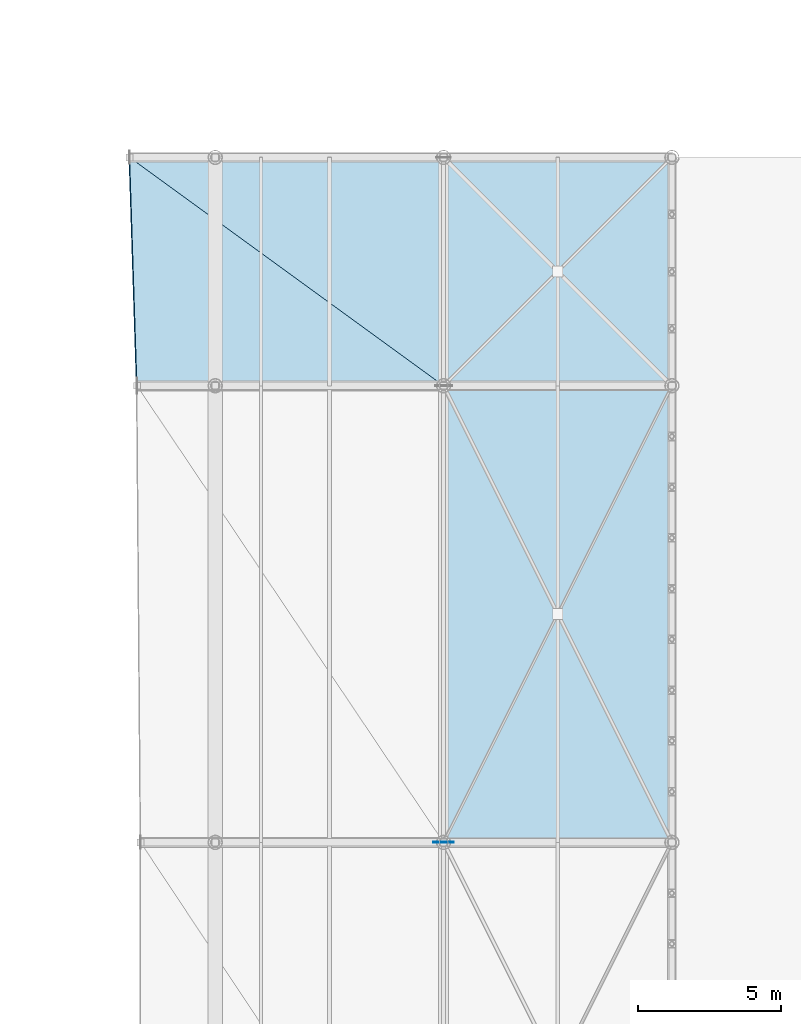
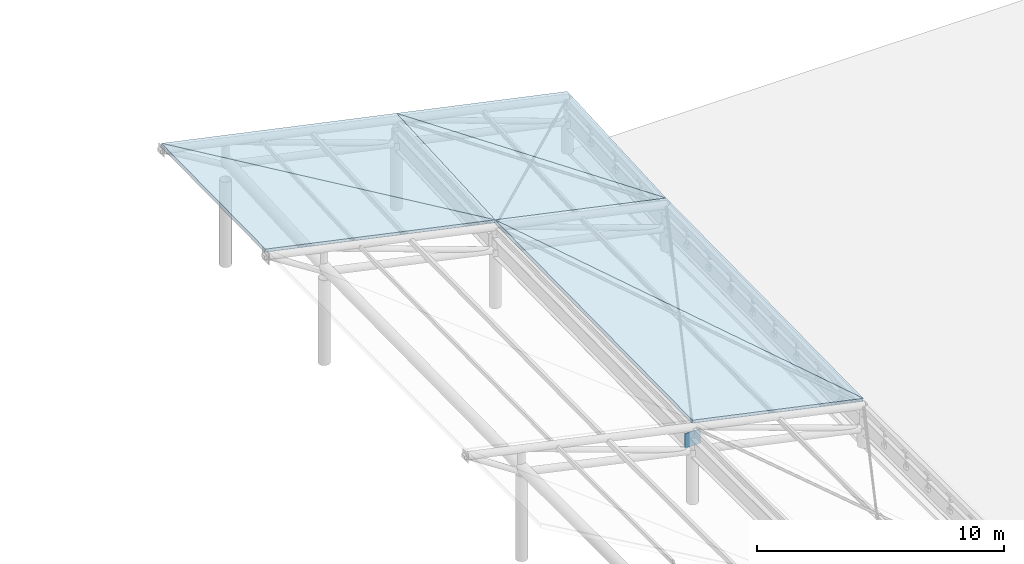
# One storey, part 36 of 54: 6 slabs, 1 plate.
"""IFC4 building model written with IfcOpenShell, lengths in metres."""

import ifcopenshell
import ifcopenshell.guid

model = None  # the IFC model being written
_history = None  # IfcOwnerHistory: only IFC2X3 demands one
_inside = {}  # id of a spatial element -> (the spatial element, [elements in it])
_under = {}  # id of a project, library or spatial element -> (it, [spatial elements below it])
_declared = {}  # id of a project -> (the project, [libraries it declares])
_typed = {}  # id of a type object -> (the type object, [elements of that type])
_made_of = {}  # id of a material, layer set ... -> (it, [elements and type objects made of it])


def new_model(schema):
    """Start an empty IFC model of exactly this schema.

    Asked for "IFC4X3", IfcOpenShell would pick the latest addendum, in which some entities
    have other attributes; the version numbers below select the first issue.
    IFC2X3 requires an IfcOwnerHistory on every rooted entity: one is made here for all.
    """
    global model, _history
    if schema == "IFC4X3":
        model = ifcopenshell.file(schema_version=(4, 3, 0, 0))
    else:
        model = ifcopenshell.file(schema=schema)
    _inside.clear()
    _under.clear()
    _declared.clear()
    _typed.clear()
    _made_of.clear()
    _history = None
    if model.schema == "IFC2X3":
        org = make("IfcOrganization", Name="unknown")
        user = make(
            "IfcPersonAndOrganization",
            ThePerson=make("IfcPerson", FamilyName="unknown"),
            TheOrganization=org,
        )
        app = make(
            "IfcApplication",
            ApplicationDeveloper=org,
            Version="unknown",
            ApplicationFullName="unknown",
            ApplicationIdentifier="unknown",
        )
        _history = make(
            "IfcOwnerHistory",
            OwningUser=user,
            OwningApplication=app,
            ChangeAction="ADDED",
            CreationDate=0,
        )
    return model


def make(cls, **values):
    """One entity of the class cls with the attributes given. An attribute that is None is left unset."""
    return model.create_entity(
        cls, **{name: value for name, value in values.items() if value is not None}
    )


def rooted(cls, **values):
    """An entity with a GlobalId (a new one), such as an element, a storey or a relation."""
    return make(cls, GlobalId=ifcopenshell.guid.new(), OwnerHistory=_history, **values)


def si_unit(unit_type, name, prefix=None):
    """IfcSIUnit, for example si_unit("LENGTHUNIT", "METRE", prefix="MILLI")."""
    return make("IfcSIUnit", UnitType=unit_type, Prefix=prefix, Name=name)


def assignment(units):
    """IfcUnitAssignment: the units of a project."""
    return None if units is None else make("IfcUnitAssignment", Units=units)


def point(xyz):
    """IfcCartesianPoint."""
    return None if xyz is None else make("IfcCartesianPoint", Coordinates=xyz)


def direction(xyz):
    """IfcDirection."""
    return None if xyz is None else make("IfcDirection", DirectionRatios=xyz)


def frame(location, z_axis=None, x_axis=None):
    """IfcAxis2Placement3D, a coordinate frame: its origin and axes. An axis left out is left unset."""
    return make(
        "IfcAxis2Placement3D",
        Location=point(location),
        Axis=direction(z_axis),
        RefDirection=direction(x_axis),
    )


def frame_2d(location, x_axis=None):
    """IfcAxis2Placement2D, a coordinate frame in the plane: its origin and x axis."""
    return make(
        "IfcAxis2Placement2D", Location=point(location), RefDirection=direction(x_axis)
    )


def origin():
    """The frame at (0, 0, 0) with its axes left unset."""
    return frame((0.0, 0.0, 0.0))


def origin_2d():
    """The frame at (0, 0) in the plane with its x axis left unset."""
    return frame_2d((0.0, 0.0))


def place(relative_to, where):
    """IfcLocalPlacement: puts the frame where relative to a parent placement (None: the world)."""
    return make(
        "IfcLocalPlacement", PlacementRelTo=relative_to, RelativePlacement=where
    )


def context(
    kind, dimensions, precision=None, world=None, true_north=None, identifier=None
):
    """IfcGeometricRepresentationContext, for example the 3D "Model" context."""
    return make(
        "IfcGeometricRepresentationContext",
        ContextIdentifier=identifier,
        ContextType=kind,
        CoordinateSpaceDimension=dimensions,
        Precision=precision,
        WorldCoordinateSystem=world,
        TrueNorth=true_north,
    )


def subcontext(parent, identifier, kind, view, scale=None):
    """IfcGeometricRepresentationSubContext, for example "Body" below "Model"."""
    return make(
        "IfcGeometricRepresentationSubContext",
        ContextIdentifier=identifier,
        ContextType=kind,
        ParentContext=parent,
        TargetScale=scale,
        TargetView=view,
    )


def project(units=None, contexts=None):
    """IfcProject with its units and contexts."""
    return rooted(
        "IfcProject",
        Name="project",
        RepresentationContexts=contexts,
        UnitsInContext=assignment(units),
    )


def spatial(cls, under=None, at=None, **own):
    """A site, building, storey or space (cls), placed at a placement, below another one or the project."""
    s = rooted(cls, ObjectPlacement=at, **own)
    if under is not None:
        _under.setdefault(under.id(), (under, []))[1].append(s)
    return s


def polyline(points):
    """IfcPolyline through the points."""
    return make("IfcPolyline", Points=[point(p) for p in points])


def profile(cls, at=None, kind="AREA", **sizes):
    """A parametric profile (cls). Its sizes go by their IFC names, for example OverallWidth=200.0."""
    return make(cls, ProfileType=kind, Position=at, **sizes)


def rectangle(**sizes):
    """IfcRectangleProfileDef."""
    return profile("IfcRectangleProfileDef", **sizes)


def outline(outer, holes=None, kind="AREA"):
    """IfcArbitraryClosedProfileDef: a profile drawn as a closed curve; with holes, ...WithVoids."""
    if holes is None:
        return make("IfcArbitraryClosedProfileDef", ProfileType=kind, OuterCurve=outer)
    return make(
        "IfcArbitraryProfileDefWithVoids",
        ProfileType=kind,
        OuterCurve=outer,
        InnerCurves=holes,
    )


def extrude(swept, where, along, depth):
    """IfcExtrudedAreaSolid: the profile swept, set in the frame where, extruded along a direction by depth."""
    return make(
        "IfcExtrudedAreaSolid",
        SweptArea=swept,
        Position=where,
        ExtrudedDirection=direction(along),
        Depth=depth,
    )


def shape(context_of_items, identifier, shape_type, items):
    """IfcShapeRepresentation: the items that make up one representation, for example the "Body"."""
    return make(
        "IfcShapeRepresentation",
        ContextOfItems=context_of_items,
        RepresentationIdentifier=identifier,
        RepresentationType=shape_type,
        Items=items,
    )


def material(Name=None, Category=None):
    """IfcMaterial."""
    return make("IfcMaterial", Name=Name, Category=Category)


def layer(
    of_material, thickness, ventilated=None, Name=None, Category=None, Priority=None
):
    """IfcMaterialLayer: one layer of a wall or slab, of a material (None: an air gap)."""
    return make(
        "IfcMaterialLayer",
        Material=of_material,
        LayerThickness=thickness,
        IsVentilated=ventilated,
        Name=Name,
        Category=Category,
        Priority=Priority,
    )


def layer_set(layers, Name=None):
    """IfcMaterialLayerSet."""
    return make("IfcMaterialLayerSet", MaterialLayers=layers, LayerSetName=Name)


def made_of(thing, what):
    """Note that an element or type object is made of a material, layer set ...; save() writes the relation."""
    if what is not None:
        _made_of.setdefault(what.id(), (what, []))[1].append(thing)
    return thing


def type_object(cls, material=None, **own):
    """A type object (cls), such as IfcWallType, which elements share."""
    return made_of(rooted(cls, **own), material)


def element(
    cls,
    number,
    at=None,
    inside=None,
    cuts=None,
    type_object=None,
    material=None,
    context=None,
    identifier="Body",
    shape_type=None,
    held_by="IfcProductDefinitionShape",
    body=None,
    shapes=None,
    **own,
):
    """One element of the class cls, such as IfcWall. Its Tag is "e" and its number.

    at: its placement. inside: the storey or other place that contains it. cuts: it is an
    opening in that element (IfcRelVoidsElement). A single representation is given by context,
    identifier, shape_type and body (its items); several are given by shapes. held_by: the class
    of the entity that holds the representations. save() writes the other relations.
    """
    e = rooted(cls, Tag="e%d" % number, ObjectPlacement=at, **own)
    if body is not None:
        shapes = [shape(context, identifier, shape_type, body)]
    if shapes is not None:
        e.Representation = make(held_by, Representations=shapes)
    if inside is not None:
        _inside.setdefault(inside.id(), (inside, []))[1].append(e)
    if cuts is not None:
        rooted(
            "IfcRelVoidsElement", RelatingBuildingElement=cuts, RelatedOpeningElement=e
        )
    if type_object is not None:
        _typed.setdefault(type_object.id(), (type_object, []))[1].append(e)
    return made_of(e, material)


def aggregate(whole, parts):
    """IfcRelAggregates: a whole, such as a stair, and the parts it consists of."""
    return rooted("IfcRelAggregates", RelatingObject=whole, RelatedObjects=parts)


def save(model, path):
    """Write the relations noted so far, then the file.

    IfcRelAggregates (storeys below a building ...), IfcRelContainedInSpatialStructure (elements
    in a storey), IfcRelDefinesByType, IfcRelAssociatesMaterial and IfcRelDeclares: one each for
    every whole, place, type object, material and project.
    """
    for whole, parts in _under.values():
        aggregate(whole, parts)
    for where, things in _inside.values():
        rooted(
            "IfcRelContainedInSpatialStructure",
            RelatedElements=things,
            RelatingStructure=where,
        )
    for kind, things in _typed.values():
        rooted("IfcRelDefinesByType", RelatedObjects=things, RelatingType=kind)
    for what, things in _made_of.values():
        rooted("IfcRelAssociatesMaterial", RelatedObjects=things, RelatingMaterial=what)
    for by, libraries in _declared.values():
        rooted("IfcRelDeclares", RelatingContext=by, RelatedDefinitions=libraries)
    model.write(path)


model = new_model("IFC4")

# Units and contexts
model_context = context("Model", 3, precision=1e-05, world=origin(), true_north=direction((0.0, 1.0)))
body_context = subcontext(model_context, "Body", "Model", "MODEL_VIEW")
ifc_project = project(units=[si_unit("LENGTHUNIT", "METRE"), si_unit("AREAUNIT", "SQUARE_METRE"), si_unit("VOLUMEUNIT", "CUBIC_METRE"), si_unit("PLANEANGLEUNIT", "RADIAN"), si_unit("MASSUNIT", "GRAM", prefix="KILO")], contexts=[model_context])

# Site, building, storey
site_placement = place(None, origin())
site = spatial("IfcSite", under=ifc_project, at=site_placement, CompositionType="ELEMENT")
building_placement = place(site_placement, origin())
building = spatial("IfcBuilding", under=site, at=building_placement, Name="Haebicheon Civic Stadium", CompositionType="ELEMENT")
storey_placement = place(building_placement, frame((0.0, 0.0, 22.800048828125)))
storey = spatial("IfcBuildingStorey", under=building, at=storey_placement, Name="L06", CompositionType="ELEMENT", Elevation=22.800048828125)

# Plate
ifc_material_1 = material(Name="White painted steel SM490", Category="steel")
ifc_layer_1 = layer(ifc_material_1, 0.031982421875, Name="White painted steel SM490")
ifc_layer_set_1 = layer_set([ifc_layer_1], Name="White painted steel SM490")
plate_type = type_object("IfcPlateType", Name="PLT-GUS-32", PredefinedType="USERDEFINED", material=ifc_layer_set_1)
plate_placement = place(storey_placement, frame((200.0, 104.0, 2.76318359375), z_axis=(0.0, 0.0, 1.0), x_axis=(1.0, 0.0, 0.0)))
element("IfcPlate", 1, at=plate_placement, inside=storey, type_object=plate_type, material=ifc_layer_set_1, Name="CAN-COMM heel node gusset plate KN-M04", ObjectType="GUSSET PLATE", PredefinedType="USERDEFINED", context=body_context, shape_type="SweptSolid", body=[
    extrude(rectangle(XDim=0.719970703125, YDim=0.031982421875, at=origin_2d()), origin(), (0.0, 0.0, 1.0), 0.719970703125),
])

# Slabs
ifc_material_2 = material(Name="White painted steel SM490", Category="steel")
ifc_layer_2 = layer(ifc_material_2, 0.159912109375, Name="White painted steel SM490")
ifc_layer_set_2 = layer_set([ifc_layer_2], Name="White painted steel SM490")
slab_type = type_object("IfcSlabType", Name="SLB-CAN-160", PredefinedType="ROOF", material=ifc_layer_set_2)
slab_1_placement = place(storey_placement, frame((208.0, 104.0, 2.305908203125), z_axis=(0.210175627466, -0.012962570636, 0.977577709127), x_axis=(-0.977659849808, 0.0, 0.210193287411)))
element("IfcSlab", 2, at=slab_1_placement, inside=storey, type_object=slab_type, material=ifc_layer_set_2, Name="CAN-COMM curled canopy facet 4.BS-A", PredefinedType="ROOF", context=body_context, shape_type="SweptSolid", body=[
    extrude(outline(polyline([(0.0, 0.0), (8.182805094807545, -3.469446951953614e-18), (8.2273993249737, -16.001344395324697), (0.0, 0.0)])), origin(), (0.0, 0.0, -1.0), 0.159912109375),
])
slab_2_placement = place(storey_placement, frame((208.0, 104.0, 2.305908203125), z_axis=(0.210175627466, -0.012962570636, 0.977577709127), x_axis=(-0.444627601422, 0.889255202843, 0.107384730153)))
element("IfcSlab", 3, at=slab_2_placement, inside=storey, type_object=slab_type, material=ifc_layer_set_2, Name="CAN-COMM curled canopy facet 4.BS-B", PredefinedType="ROOF", context=body_context, shape_type="SweptSolid", body=[
    extrude(outline(polyline([(0.0, 0.0), (17.99258519808554, 5.551115123125783e-17), (14.250865796886076, -7.277213418767917), (0.0, 0.0)])), origin(), (0.0, 0.0, -1.0), 0.159912109375),
])
slab_3_placement = place(storey_placement, frame((208.0, 120.0, 2.51806640625), z_axis=(0.209914490933, -0.051487897847, 0.976363099913), x_axis=(-0.977659849808, 0.0, 0.210193287411)))
element("IfcSlab", 4, at=slab_3_placement, inside=storey, type_object=slab_type, material=ifc_layer_set_2, Name="CAN-COMM curled canopy facet 5.BS-A", PredefinedType="ROOF", context=body_context, shape_type="SweptSolid", body=[
    extrude(outline(polyline([(0.0, 0.0), (8.182805094807545, -1.3877787807814457e-17), (8.271480387934263, -8.010625144644697), (0.0, 0.0)])), origin(), (0.0, 0.0, -1.0), 0.159912109375),
])
slab_4_placement = place(storey_placement, frame((208.0, 120.0, 2.51806640625), z_axis=(0.209914490933, -0.051487897847, 0.976363099913), x_axis=(-0.694766214438, 0.694766214438, 0.186010253884)))
element("IfcSlab", 5, at=slab_4_placement, inside=storey, type_object=slab_type, material=ifc_layer_set_2, Name="CAN-COMM curled canopy facet 5.BS-B", PredefinedType="ROOF", context=body_context, shape_type="SweptSolid", body=[
    extrude(outline(polyline([(0.0, 0.0), (11.514664694032348, -2.7755575615628914e-16), (5.636602791364229, -5.69268719393662), (0.0, 0.0)])), origin(), (0.0, 0.0, -1.0), 0.159912109375),
])
slab_5_placement = place(storey_placement, frame((200.0, 120.0, 4.238037109375), z_axis=(0.209907044769, -0.051502156552, 0.976363948754), x_axis=(-0.977661419535, 0.0, 0.210185986098)))
element("IfcSlab", 6, at=slab_5_placement, inside=storey, type_object=slab_type, material=ifc_layer_set_2, Name="CAN-COMM curled canopy facet 5.CT-A", PredefinedType="ROOF", context=body_context, shape_type="SweptSolid", body=[
    extrude(outline(polyline([(0.0, 0.0), (10.989383716789156, -2.7755575615628914e-17), (11.340035632299049, -8.010631042106233), (0.0, 0.0)])), origin(), (0.0, 0.0, -1.0), 0.159912109375),
])
slab_6_placement = place(storey_placement, frame((200.0, 120.0, 4.238037109375), z_axis=(0.209917080321, -0.051487868571, 0.976362544744), x_axis=(-0.792276494569, 0.576201086959, 0.200724347157)))
element("IfcSlab", 7, at=slab_6_placement, inside=storey, type_object=slab_type, material=ifc_layer_set_2, Name="CAN-COMM curled canopy facet 5.CT-B", PredefinedType="ROOF", context=body_context, shape_type="SweptSolid", body=[
    extrude(outline(polyline([(0.0, 0.0), (13.884041840709354, -1.6653345369377348e-16), (4.694289279628246, -6.491658237676435), (0.0, 0.0)])), origin(), (0.0, 0.0, -1.0), 0.159912109375),
])

save(model, "model.ifc")
